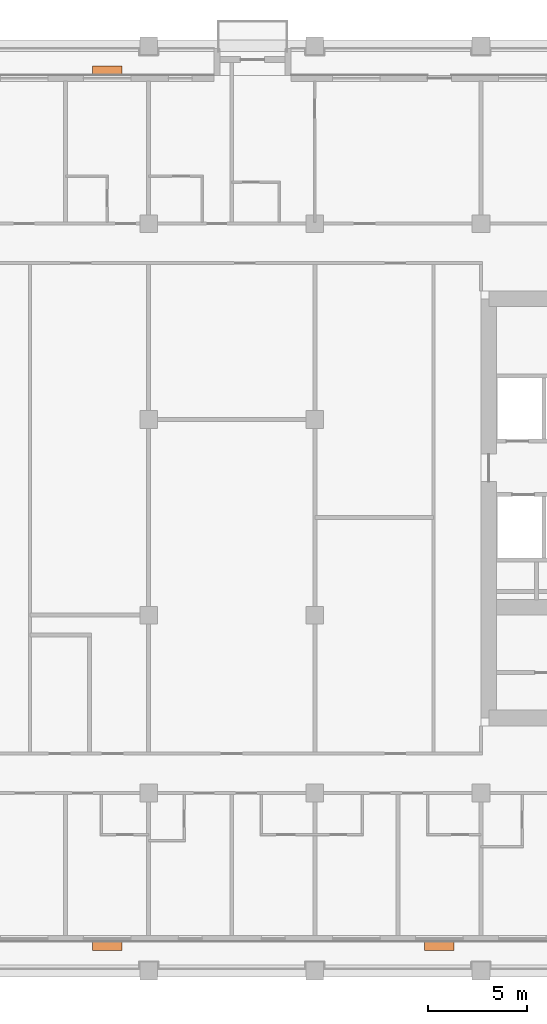
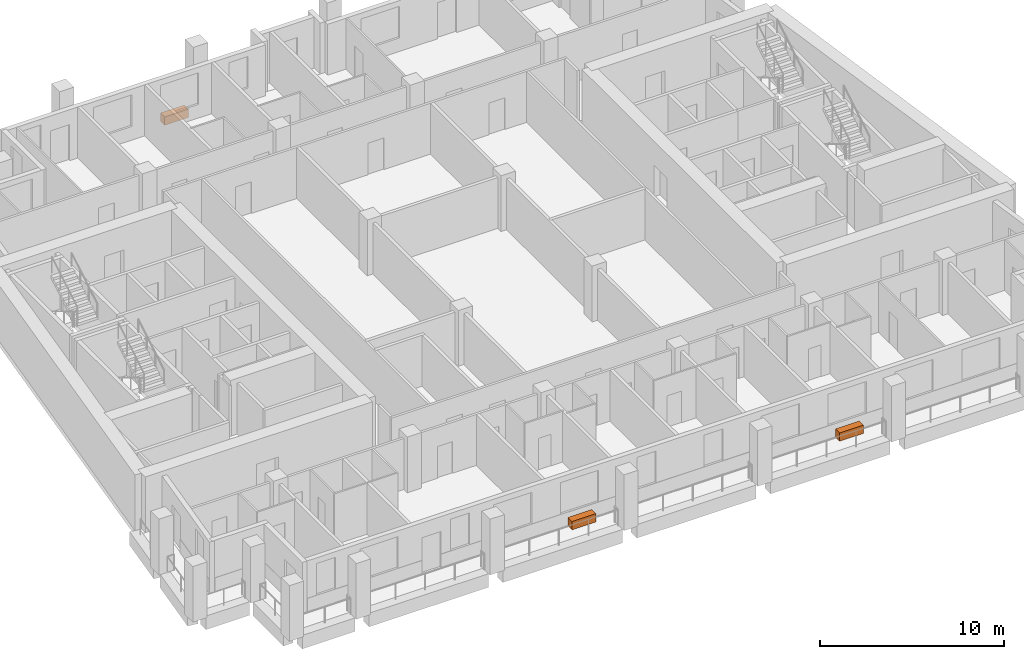
# One storey, part 12 of 12: 3 proxies.
"""IFC4 building model written with IfcOpenShell, lengths in metres."""

from ifc_helpers import new_model, si_unit, direction, frame, origin, origin_2d, place, context, subcontext, project, spatial, rectangle, extrude, element, save


model = new_model("IFC4")

# Units and contexts
model_context = context("Model", 3, precision=1e-05, world=origin(), true_north=direction((0.0, 1.0)))
body_context = subcontext(model_context, "Body", "Model", "MODEL_VIEW")
ifc_project = project(units=[si_unit("LENGTHUNIT", "METRE"), si_unit("AREAUNIT", "SQUARE_METRE"), si_unit("VOLUMEUNIT", "CUBIC_METRE"), si_unit("PLANEANGLEUNIT", "RADIAN"), si_unit("MASSUNIT", "GRAM", prefix="KILO")], contexts=[model_context])

# Site, building, storey
site_placement = place(None, origin())
site = spatial("IfcSite", under=ifc_project, at=site_placement, CompositionType="ELEMENT")
building_placement = place(site_placement, origin())
building = spatial("IfcBuilding", under=site, at=building_placement, Name="Candeia Pilgrim Tower and Theatre", CompositionType="ELEMENT")
storey_placement = place(building_placement, frame((0.0, 0.0, 213.300048828125)))
storey = spatial("IfcBuildingStorey", under=building, at=storey_placement, Name="L51", CompositionType="ELEMENT", Elevation=213.300048828125)

# Proxies
for number, where, z_axis, x_axis, name in (
    (1, (107.10009765625, 99.2548828125, 0.0), (0.0, 0.0, 1.0), (1.0, 0.0, 0.0), "Planter"),
    (2, (123.89990234375, 99.2548828125, 0.0), (0.0, 0.0, 1.0), (1.0, 0.0, 0.0), "Planter"),
    (3, (107.10009765625, 143.544921875, 0.0), (0.0, 0.0, 1.0), (-1.0, 0.0, 0.0), "Planter"),
):
    element("IfcBuildingElementProxy", number, at=place(storey_placement, frame(where, z_axis=z_axis, x_axis=x_axis)), inside=storey, Name=name, ObjectType="PLANTER", PredefinedType="USERDEFINED", context=body_context, shape_type="SweptSolid", body=[
        extrude(rectangle(XDim=1.5, YDim=0.449951171875, at=origin_2d()), origin(), (0.0, 0.0, 1.0), 0.550048828125),
    ])

save(model, "model.ifc")
